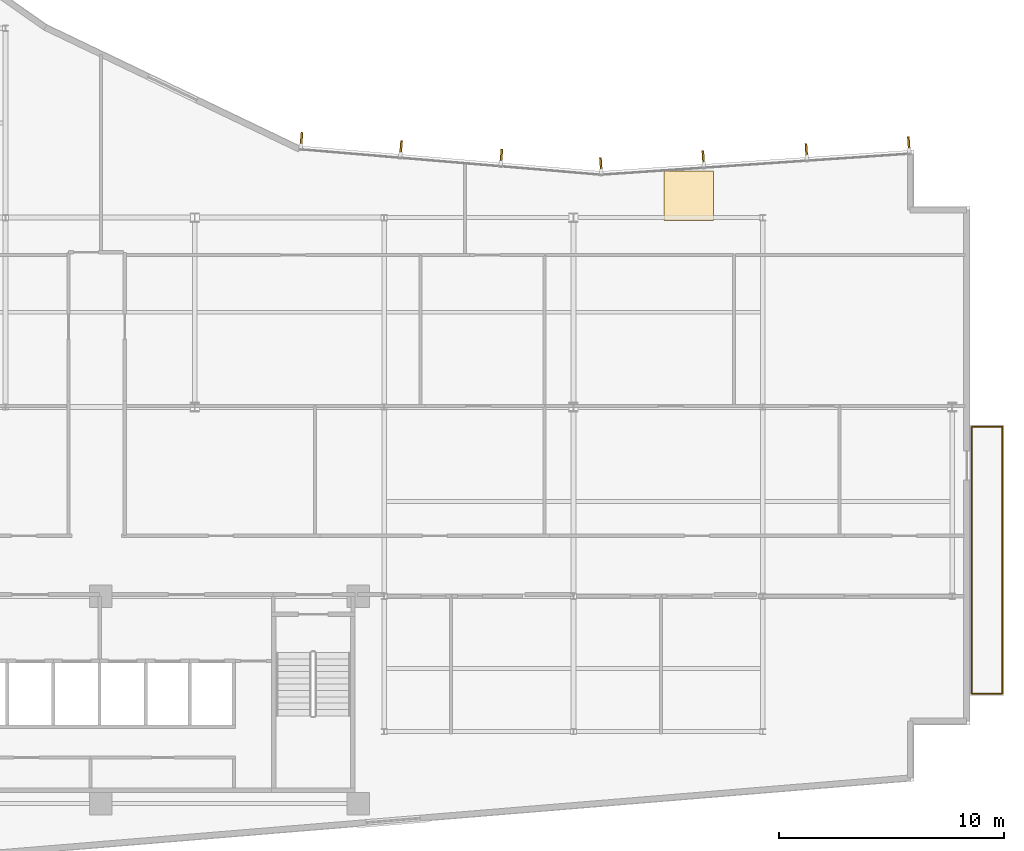
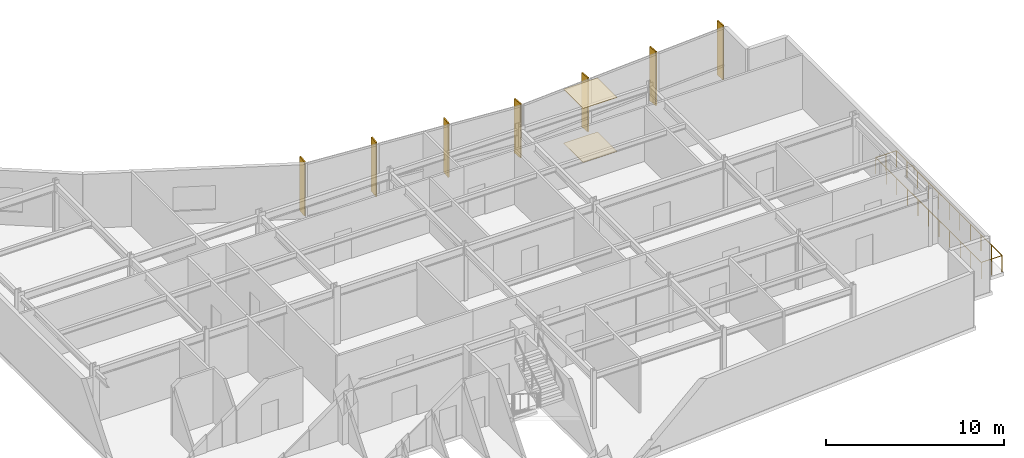
# One storey, part 13 of 14: 7 shading devices, 4 railings, 2 coverings.
"""IFC4 building model written with IfcOpenShell, lengths in metres."""

from ifc_helpers import new_model, si_unit, direction, frame, origin, origin_2d, place, context, subcontext, project, spatial, rectangle, circle, extrude, material, layer, layer_set, type_object, element, save


model = new_model("IFC4")

# Units and contexts
model_context = context("Model", 3, precision=1e-05, world=origin(), true_north=direction((0.0, 1.0)))
body_context = subcontext(model_context, "Body", "Model", "MODEL_VIEW")
ifc_project = project(units=[si_unit("LENGTHUNIT", "METRE"), si_unit("AREAUNIT", "SQUARE_METRE"), si_unit("VOLUMEUNIT", "CUBIC_METRE"), si_unit("PLANEANGLEUNIT", "RADIAN"), si_unit("MASSUNIT", "GRAM", prefix="KILO")], contexts=[model_context])

# Site, building, storey
site_placement = place(None, origin())
site = spatial("IfcSite", under=ifc_project, at=site_placement, CompositionType="ELEMENT")
building_placement = place(site_placement, origin())
building = spatial("IfcBuilding", under=site, at=building_placement, Name="Varnakote Quay Hospital", CompositionType="ELEMENT")
storey_placement = place(building_placement, frame((0.0, 0.0, 211.85009765625)))
storey = spatial("IfcBuildingStorey", under=building, at=storey_placement, Name="L52", CompositionType="ELEMENT", Elevation=211.85009765625)

# Coverings
ifc_material_1 = material(Name="Antimicrobial acoustic mineral ceiling tile", Category="gypsum")
ifc_layer_1 = layer(ifc_material_1, 0.02490234375)
ifc_layer_set_1 = layer_set([ifc_layer_1], Name="Antimicrobial acoustic mineral ceiling tile")
covering_type_1 = type_object("IfcCoveringType", Name="COV-CLIN-CEIL-25", PredefinedType="CEILING", material=ifc_layer_set_1)
covering_1_placement = place(storey_placement, frame((38.719970703125, 29.77294921875, 3.68505859375), z_axis=(0.0, 0.0, 1.0), x_axis=(1.0, 0.0, 0.0)))
element("IfcCovering", 1, at=covering_1_placement, inside=storey, type_object=covering_type_1, Name="L52 Antimicrobial Acoustic Ceiling Tile", PredefinedType="CEILING", context=body_context, shape_type="SweptSolid", body=[
    extrude(rectangle(XDim=2.199951171875, YDim=2.199951171875, at=origin_2d()), origin(), (0.0, 0.0, 1.0), 0.02490234375),
])
ifc_material_2 = material(Name="Seamless clinical sheet vinyl flooring")
ifc_layer_2 = layer(ifc_material_2, 0.011962890625)
ifc_layer_set_2 = layer_set([ifc_layer_2], Name="Seamless clinical sheet vinyl flooring")
covering_type_2 = type_object("IfcCoveringType", Name="COV-CLIN-VINYL-12", PredefinedType="FLOORING", material=ifc_layer_set_2)
covering_2_placement = place(storey_placement, frame((38.719970703125, 29.77294921875, 0.0), z_axis=(0.0, 0.0, 1.0), x_axis=(1.0, 0.0, 0.0)))
element("IfcCovering", 2, at=covering_2_placement, inside=storey, type_object=covering_type_2, Name="L52 Seamless Clinical Vinyl Flooring", PredefinedType="FLOORING", context=body_context, shape_type="SweptSolid", body=[
    extrude(rectangle(XDim=2.199951171875, YDim=2.199951171875, at=origin_2d()), origin(), (0.0, 0.0, 1.0), 0.011962890625),
])

# Railings
ifc_material_3 = material(Name="Anodised aluminium 6063-T6 Bronze", Category="aluminium")
railing_type = type_object("IfcRailingType", Name="RLG-EXT-GUARD-1150", PredefinedType="GUARDRAIL", material=ifc_material_3)
railing_1_placement = place(storey_placement, frame((51.27587890625, 19.52001953125, 0.0)))
element("IfcRailing", 3, at=railing_1_placement, inside=storey, type_object=railing_type, Name="L52 Zigzag Prow Healing Terrace Safety Guard", PredefinedType="GUARDRAIL", context=body_context, shape_type="SweptSolid", body=[
    extrude(circle(Radius=0.02392578125, at=origin_2d()), frame((0.0, 0.0, 1.1259765625), z_axis=(1.0, 0.0, 0.0), x_axis=(0.0, 1.0, 0.0)), (0.0, 0.0, 1.0), 1.34423828125),
    extrude(circle(Radius=0.02099609375, at=origin_2d()), origin(), (0.0, 0.0, 1.0), 1.101806640625),
    extrude(circle(Radius=0.02099609375, at=origin_2d()), frame((0.672119140625, 0.0, 0.0)), (0.0, 0.0, 1.0), 1.101806640625),
    extrude(circle(Radius=0.02099609375, at=origin_2d()), frame((1.34423828125, 0.0, 0.0)), (0.0, 0.0, 1.0), 1.101806640625),
])
railing_2_placement = place(storey_placement, frame((52.6201171875, 19.52001953125, 0.0)))
element("IfcRailing", 4, at=railing_2_placement, inside=storey, type_object=railing_type, Name="L52 Zigzag Prow Healing Terrace Safety Guard", PredefinedType="GUARDRAIL", context=body_context, shape_type="SweptSolid", body=[
    extrude(circle(Radius=0.02392578125, at=origin_2d()), frame((0.0, 0.0, 1.1259765625), z_axis=(0.0, -1.0, 0.0), x_axis=(1.0, 0.0, 0.0)), (0.0, 0.0, 1.0), 11.840087890625),
    extrude(circle(Radius=0.02099609375, at=origin_2d()), origin(), (0.0, 0.0, 1.0), 1.101806640625),
    extrude(circle(Radius=0.02099609375, at=origin_2d()), frame((0.0, -1.18408203125, 0.0)), (0.0, 0.0, 1.0), 1.101806640625),
    extrude(circle(Radius=0.02099609375, at=origin_2d()), frame((0.0, -2.367919921875, 0.0)), (0.0, 0.0, 1.0), 1.101806640625),
    extrude(circle(Radius=0.02099609375, at=origin_2d()), frame((0.0, -3.552001953125, 0.0)), (0.0, 0.0, 1.0), 1.101806640625),
    extrude(circle(Radius=0.02099609375, at=origin_2d()), frame((0.0, -4.736083984375, 0.0)), (0.0, 0.0, 1.0), 1.101806640625),
    extrude(circle(Radius=0.02099609375, at=origin_2d()), frame((0.0, -5.919921875, 0.0)), (0.0, 0.0, 1.0), 1.101806640625),
    extrude(circle(Radius=0.02099609375, at=origin_2d()), frame((0.0, -7.10400390625, 0.0)), (0.0, 0.0, 1.0), 1.101806640625),
    extrude(circle(Radius=0.02099609375, at=origin_2d()), frame((0.0, -8.2880859375, 0.0)), (0.0, 0.0, 1.0), 1.101806640625),
    extrude(circle(Radius=0.02099609375, at=origin_2d()), frame((0.0, -9.47216796875, 0.0)), (0.0, 0.0, 1.0), 1.101806640625),
    extrude(circle(Radius=0.02099609375, at=origin_2d()), frame((0.0, -10.656005859375, 0.0)), (0.0, 0.0, 1.0), 1.101806640625),
    extrude(circle(Radius=0.02099609375, at=origin_2d()), frame((0.0, -11.840087890625, 0.0)), (0.0, 0.0, 1.0), 1.101806640625),
])
railing_3_placement = place(storey_placement, frame((52.6201171875, 7.679931640625, 0.0)))
element("IfcRailing", 5, at=railing_3_placement, inside=storey, type_object=railing_type, Name="L52 Zigzag Prow Healing Terrace Safety Guard", PredefinedType="GUARDRAIL", context=body_context, shape_type="SweptSolid", body=[
    extrude(circle(Radius=0.02392578125, at=origin_2d()), frame((0.0, 0.0, 1.1259765625), z_axis=(-1.0, 0.0, 0.0), x_axis=(0.0, -1.0, 0.0)), (0.0, 0.0, 1.0), 1.34423828125),
    extrude(circle(Radius=0.02099609375, at=origin_2d()), origin(), (0.0, 0.0, 1.0), 1.101806640625),
    extrude(circle(Radius=0.02099609375, at=origin_2d()), frame((-0.672119140625, 0.0, 0.0)), (0.0, 0.0, 1.0), 1.101806640625),
    extrude(circle(Radius=0.02099609375, at=origin_2d()), frame((-1.34423828125, 0.0, 0.0)), (0.0, 0.0, 1.0), 1.101806640625),
])
railing_4_placement = place(storey_placement, frame((51.27587890625, 7.679931640625, 0.0)))
element("IfcRailing", 6, at=railing_4_placement, inside=storey, type_object=railing_type, Name="L52 Zigzag Prow Healing Terrace Safety Guard", PredefinedType="GUARDRAIL", context=body_context, shape_type="SweptSolid", body=[
    extrude(circle(Radius=0.02392578125, at=origin_2d()), frame((0.0, 0.0, 1.1259765625), z_axis=(0.0, 1.0, 0.0), x_axis=(-1.0, 0.0, 0.0)), (0.0, 0.0, 1.0), 11.840087890625),
    extrude(circle(Radius=0.02099609375, at=origin_2d()), origin(), (0.0, 0.0, 1.0), 1.101806640625),
    extrude(circle(Radius=0.02099609375, at=origin_2d()), frame((0.0, 1.18408203125, 0.0)), (0.0, 0.0, 1.0), 1.101806640625),
    extrude(circle(Radius=0.02099609375, at=origin_2d()), frame((0.0, 2.367919921875, 0.0)), (0.0, 0.0, 1.0), 1.101806640625),
    extrude(circle(Radius=0.02099609375, at=origin_2d()), frame((0.0, 3.552001953125, 0.0)), (0.0, 0.0, 1.0), 1.101806640625),
    extrude(circle(Radius=0.02099609375, at=origin_2d()), frame((0.0, 4.736083984375, 0.0)), (0.0, 0.0, 1.0), 1.101806640625),
    extrude(circle(Radius=0.02099609375, at=origin_2d()), frame((0.0, 5.919921875, 0.0)), (0.0, 0.0, 1.0), 1.101806640625),
    extrude(circle(Radius=0.02099609375, at=origin_2d()), frame((0.0, 7.10400390625, 0.0)), (0.0, 0.0, 1.0), 1.101806640625),
    extrude(circle(Radius=0.02099609375, at=origin_2d()), frame((0.0, 8.2880859375, 0.0)), (0.0, 0.0, 1.0), 1.101806640625),
    extrude(circle(Radius=0.02099609375, at=origin_2d()), frame((0.0, 9.47216796875, 0.0)), (0.0, 0.0, 1.0), 1.101806640625),
    extrude(circle(Radius=0.02099609375, at=origin_2d()), frame((0.0, 10.656005859375, 0.0)), (0.0, 0.0, 1.0), 1.101806640625),
    extrude(circle(Radius=0.02099609375, at=origin_2d()), frame((0.0, 11.840087890625, 0.0)), (0.0, 0.0, 1.0), 1.101806640625),
])

# Shading devices
ifc_material_4 = material(Name="Anodised aluminium 6063-T6 Bronze", Category="aluminium")
ifc_layer_3 = layer(ifc_material_4, 0.0849609375)
ifc_layer_set_3 = layer_set([ifc_layer_3], Name="Anodised aluminium 6063-T6 Bronze")
shading_device_type = type_object("IfcShadingDeviceType", Name="SHD-BRONZE-FIN-620", PredefinedType="USERDEFINED", material=ifc_layer_set_3)
for number, where, z_axis, x_axis, name in (
    (7, (48.47705078125, 32.07568359375, 0.0), (0.0, 0.0, 1.0), (0.067841160875, -0.997696134548, 0.0), "L52 Anodised Bronze Vertical Shading FIN"),
    (8, (43.934326171875, 31.7666015625, 0.0), (0.0, 0.0, 1.0), (0.067841160875, -0.997696134548, 0.0), "L52 Anodised Bronze Vertical Shading FIN"),
    (9, (39.359375, 31.45556640625, 0.0), (0.0, 0.0, 1.0), (0.067841160875, -0.997696134548, 0.0), "L52 Anodised Bronze Vertical Shading FIN"),
    (10, (34.816650390625, 31.146728515625, 0.0), (0.0, 0.0, 1.0), (0.067841160875, -0.997696134548, 0.0), "L52 Anodised Bronze Vertical Shading FIN"),
    (11, (30.4013671875, 31.519775390625, 0.0), (0.0, 0.0, 1.0), (-0.084199594279, -0.996448909038, 0.0), "L52 Anodised Bronze Vertical Shading FIN"),
    (12, (25.9501953125, 31.8955078125, 0.0), (0.0, 0.0, 1.0), (-0.084199594279, -0.996448909038, 0.0), "L52 Anodised Bronze Vertical Shading FIN"),
    (13, (21.531494140625, 32.268798828125, 0.0), (0.0, 0.0, 1.0), (-0.084199594279, -0.996448909038, 0.0), "L52 Anodised Bronze Vertical Shading FIN"),
):
    element("IfcShadingDevice", number, at=place(storey_placement, frame(where, z_axis=z_axis, x_axis=x_axis)), inside=storey, type_object=shading_device_type, Name=name, ObjectType="FIN", PredefinedType="USERDEFINED", context=body_context, shape_type="SweptSolid", body=[
        extrude(rectangle(XDim=0.6201171875, YDim=0.0849609375, at=origin_2d()), origin(), (0.0, 0.0, 1.0), 3.7099609375),
    ])

save(model, "model.ifc")
